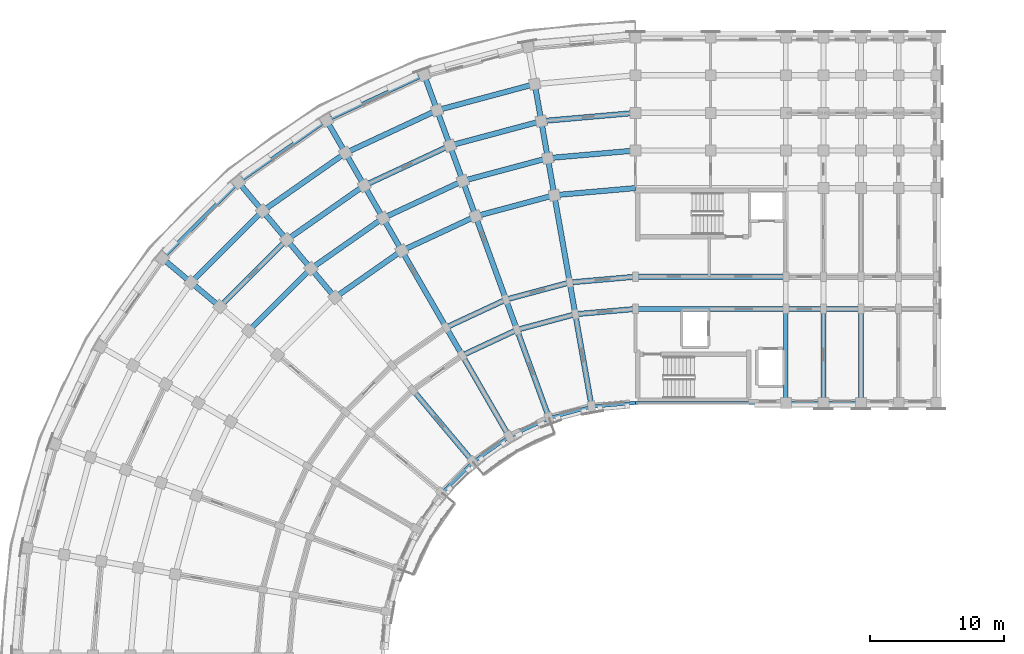
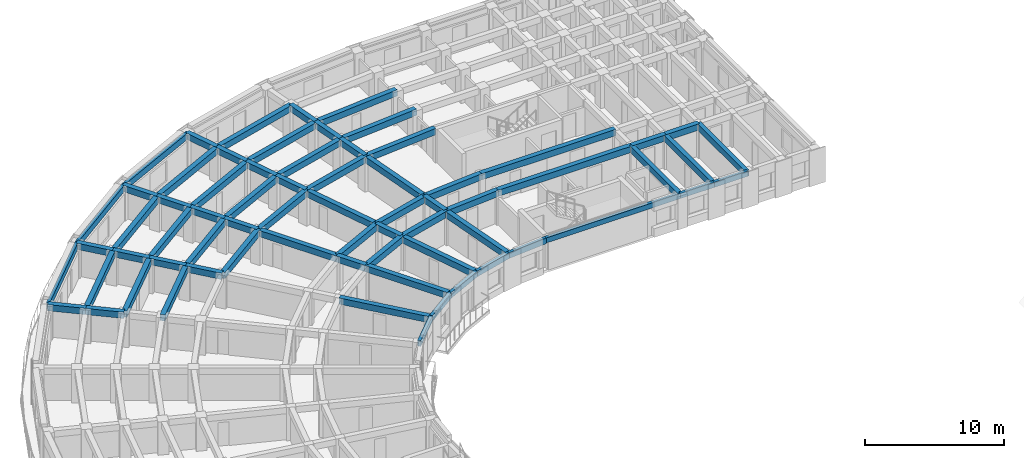
# One storey, part 8 of 54: 69 beams.
"""IFC4 building model written with IfcOpenShell, lengths in metres."""

import ifcopenshell
import ifcopenshell.guid

model = None  # the IFC model being written
_history = None  # IfcOwnerHistory: only IFC2X3 demands one
_inside = {}  # id of a spatial element -> (the spatial element, [elements in it])
_under = {}  # id of a project, library or spatial element -> (it, [spatial elements below it])
_declared = {}  # id of a project -> (the project, [libraries it declares])
_typed = {}  # id of a type object -> (the type object, [elements of that type])
_made_of = {}  # id of a material, layer set ... -> (it, [elements and type objects made of it])


def new_model(schema):
    """Start an empty IFC model of exactly this schema.

    Asked for "IFC4X3", IfcOpenShell would pick the latest addendum, in which some entities
    have other attributes; the version numbers below select the first issue.
    IFC2X3 requires an IfcOwnerHistory on every rooted entity: one is made here for all.
    """
    global model, _history
    if schema == "IFC4X3":
        model = ifcopenshell.file(schema_version=(4, 3, 0, 0))
    else:
        model = ifcopenshell.file(schema=schema)
    _inside.clear()
    _under.clear()
    _declared.clear()
    _typed.clear()
    _made_of.clear()
    _history = None
    if model.schema == "IFC2X3":
        org = make("IfcOrganization", Name="unknown")
        user = make(
            "IfcPersonAndOrganization",
            ThePerson=make("IfcPerson", FamilyName="unknown"),
            TheOrganization=org,
        )
        app = make(
            "IfcApplication",
            ApplicationDeveloper=org,
            Version="unknown",
            ApplicationFullName="unknown",
            ApplicationIdentifier="unknown",
        )
        _history = make(
            "IfcOwnerHistory",
            OwningUser=user,
            OwningApplication=app,
            ChangeAction="ADDED",
            CreationDate=0,
        )
    return model


def make(cls, **values):
    """One entity of the class cls with the attributes given. An attribute that is None is left unset."""
    return model.create_entity(
        cls, **{name: value for name, value in values.items() if value is not None}
    )


def rooted(cls, **values):
    """An entity with a GlobalId (a new one), such as an element, a storey or a relation."""
    return make(cls, GlobalId=ifcopenshell.guid.new(), OwnerHistory=_history, **values)


def si_unit(unit_type, name, prefix=None):
    """IfcSIUnit, for example si_unit("LENGTHUNIT", "METRE", prefix="MILLI")."""
    return make("IfcSIUnit", UnitType=unit_type, Prefix=prefix, Name=name)


def assignment(units):
    """IfcUnitAssignment: the units of a project."""
    return None if units is None else make("IfcUnitAssignment", Units=units)


def point(xyz):
    """IfcCartesianPoint."""
    return None if xyz is None else make("IfcCartesianPoint", Coordinates=xyz)


def direction(xyz):
    """IfcDirection."""
    return None if xyz is None else make("IfcDirection", DirectionRatios=xyz)


def frame(location, z_axis=None, x_axis=None):
    """IfcAxis2Placement3D, a coordinate frame: its origin and axes. An axis left out is left unset."""
    return make(
        "IfcAxis2Placement3D",
        Location=point(location),
        Axis=direction(z_axis),
        RefDirection=direction(x_axis),
    )


def frame_2d(location, x_axis=None):
    """IfcAxis2Placement2D, a coordinate frame in the plane: its origin and x axis."""
    return make(
        "IfcAxis2Placement2D", Location=point(location), RefDirection=direction(x_axis)
    )


def origin():
    """The frame at (0, 0, 0) with its axes left unset."""
    return frame((0.0, 0.0, 0.0))


def origin_2d():
    """The frame at (0, 0) in the plane with its x axis left unset."""
    return frame_2d((0.0, 0.0))


def place(relative_to, where):
    """IfcLocalPlacement: puts the frame where relative to a parent placement (None: the world)."""
    return make(
        "IfcLocalPlacement", PlacementRelTo=relative_to, RelativePlacement=where
    )


def context(
    kind, dimensions, precision=None, world=None, true_north=None, identifier=None
):
    """IfcGeometricRepresentationContext, for example the 3D "Model" context."""
    return make(
        "IfcGeometricRepresentationContext",
        ContextIdentifier=identifier,
        ContextType=kind,
        CoordinateSpaceDimension=dimensions,
        Precision=precision,
        WorldCoordinateSystem=world,
        TrueNorth=true_north,
    )


def subcontext(parent, identifier, kind, view, scale=None):
    """IfcGeometricRepresentationSubContext, for example "Body" below "Model"."""
    return make(
        "IfcGeometricRepresentationSubContext",
        ContextIdentifier=identifier,
        ContextType=kind,
        ParentContext=parent,
        TargetScale=scale,
        TargetView=view,
    )


def project(units=None, contexts=None):
    """IfcProject with its units and contexts."""
    return rooted(
        "IfcProject",
        Name="project",
        RepresentationContexts=contexts,
        UnitsInContext=assignment(units),
    )


def spatial(cls, under=None, at=None, **own):
    """A site, building, storey or space (cls), placed at a placement, below another one or the project."""
    s = rooted(cls, ObjectPlacement=at, **own)
    if under is not None:
        _under.setdefault(under.id(), (under, []))[1].append(s)
    return s


def profile(cls, at=None, kind="AREA", **sizes):
    """A parametric profile (cls). Its sizes go by their IFC names, for example OverallWidth=200.0."""
    return make(cls, ProfileType=kind, Position=at, **sizes)


def rectangle(**sizes):
    """IfcRectangleProfileDef."""
    return profile("IfcRectangleProfileDef", **sizes)


def extrude(swept, where, along, depth):
    """IfcExtrudedAreaSolid: the profile swept, set in the frame where, extruded along a direction by depth."""
    return make(
        "IfcExtrudedAreaSolid",
        SweptArea=swept,
        Position=where,
        ExtrudedDirection=direction(along),
        Depth=depth,
    )


def shape(context_of_items, identifier, shape_type, items):
    """IfcShapeRepresentation: the items that make up one representation, for example the "Body"."""
    return make(
        "IfcShapeRepresentation",
        ContextOfItems=context_of_items,
        RepresentationIdentifier=identifier,
        RepresentationType=shape_type,
        Items=items,
    )


def material(Name=None, Category=None):
    """IfcMaterial."""
    return make("IfcMaterial", Name=Name, Category=Category)


def material_profile(
    of_material, cross_section, Name=None, Category=None, Priority=None
):
    """IfcMaterialProfile: a cross section and its material."""
    return make(
        "IfcMaterialProfile",
        Name=Name,
        Material=of_material,
        Profile=cross_section,
        Priority=Priority,
        Category=Category,
    )


def profile_set(profiles, Name=None, composite=None):
    """IfcMaterialProfileSet."""
    return make(
        "IfcMaterialProfileSet",
        Name=Name,
        MaterialProfiles=profiles,
        CompositeProfile=composite,
    )


def made_of(thing, what):
    """Note that an element or type object is made of a material, layer set ...; save() writes the relation."""
    if what is not None:
        _made_of.setdefault(what.id(), (what, []))[1].append(thing)
    return thing


def type_object(cls, material=None, **own):
    """A type object (cls), such as IfcWallType, which elements share."""
    return made_of(rooted(cls, **own), material)


def element(
    cls,
    number,
    at=None,
    inside=None,
    cuts=None,
    type_object=None,
    material=None,
    context=None,
    identifier="Body",
    shape_type=None,
    held_by="IfcProductDefinitionShape",
    body=None,
    shapes=None,
    **own,
):
    """One element of the class cls, such as IfcWall. Its Tag is "e" and its number.

    at: its placement. inside: the storey or other place that contains it. cuts: it is an
    opening in that element (IfcRelVoidsElement). A single representation is given by context,
    identifier, shape_type and body (its items); several are given by shapes. held_by: the class
    of the entity that holds the representations. save() writes the other relations.
    """
    e = rooted(cls, Tag="e%d" % number, ObjectPlacement=at, **own)
    if body is not None:
        shapes = [shape(context, identifier, shape_type, body)]
    if shapes is not None:
        e.Representation = make(held_by, Representations=shapes)
    if inside is not None:
        _inside.setdefault(inside.id(), (inside, []))[1].append(e)
    if cuts is not None:
        rooted(
            "IfcRelVoidsElement", RelatingBuildingElement=cuts, RelatedOpeningElement=e
        )
    if type_object is not None:
        _typed.setdefault(type_object.id(), (type_object, []))[1].append(e)
    return made_of(e, material)


def aggregate(whole, parts):
    """IfcRelAggregates: a whole, such as a stair, and the parts it consists of."""
    return rooted("IfcRelAggregates", RelatingObject=whole, RelatedObjects=parts)


def save(model, path):
    """Write the relations noted so far, then the file.

    IfcRelAggregates (storeys below a building ...), IfcRelContainedInSpatialStructure (elements
    in a storey), IfcRelDefinesByType, IfcRelAssociatesMaterial and IfcRelDeclares: one each for
    every whole, place, type object, material and project.
    """
    for whole, parts in _under.values():
        aggregate(whole, parts)
    for where, things in _inside.values():
        rooted(
            "IfcRelContainedInSpatialStructure",
            RelatedElements=things,
            RelatingStructure=where,
        )
    for kind, things in _typed.values():
        rooted("IfcRelDefinesByType", RelatedObjects=things, RelatingType=kind)
    for what, things in _made_of.values():
        rooted("IfcRelAssociatesMaterial", RelatedObjects=things, RelatingMaterial=what)
    for by, libraries in _declared.values():
        rooted("IfcRelDeclares", RelatingContext=by, RelatedDefinitions=libraries)
    model.write(path)


model = new_model("IFC4")

# Units and contexts
model_context = context("Model", 3, precision=1e-05, world=origin(), true_north=direction((0.0, 1.0)))
body_context = subcontext(model_context, "Body", "Model", "MODEL_VIEW")
ifc_project = project(units=[si_unit("LENGTHUNIT", "METRE"), si_unit("AREAUNIT", "SQUARE_METRE"), si_unit("VOLUMEUNIT", "CUBIC_METRE"), si_unit("PLANEANGLEUNIT", "RADIAN"), si_unit("MASSUNIT", "GRAM", prefix="KILO")], contexts=[model_context])

# Site, building, storey
site_placement = place(None, origin())
site = spatial("IfcSite", under=ifc_project, at=site_placement, CompositionType="ELEMENT")
building_placement = place(site_placement, origin())
building = spatial("IfcBuilding", under=site, at=building_placement, Name="Kiranvali Square Residences", CompositionType="ELEMENT")
storey_placement = place(building_placement, frame((0.0, 0.0, 11.85009765625)))
storey = spatial("IfcBuildingStorey", under=building, at=storey_placement, Name="L03", CompositionType="ELEMENT", Elevation=11.85009765625)

# Beams
ifc_material_1 = material(Name="Concrete M40 (40 MPa)", Category="concrete")
ifc_material_profile_1 = material_profile(ifc_material_1, rectangle(XDim=0.35009765625, YDim=0.550048828125, at=origin_2d()), Name="RC 350x550")
ifc_profile_set_1 = profile_set([ifc_material_profile_1], Name="Concrete M40 (40 MPa)")
beam_type_1 = type_object("IfcBeamType", Name="BM-M40-350x550", PredefinedType="BEAM", material=ifc_profile_set_1)
for number, where, z_axis, x_axis, name in (
    (1, (59.39990234375, 106.60009765625, 2.65478515625), (0.0, 1.0, 0.0), (-1.0, 0.0, 0.0), "L03 beam BM-A-L03-A1T1-01"),
    (2, (62.199951171875, 106.60009765625, 2.65478515625), (0.0, 1.0, 0.0), (-1.0, 0.0, 0.0), "L03 beam BM-A-L03-A1T2-01"),
    (3, (65.0, 106.60009765625, 2.65478515625), (0.0, 1.0, 0.0), (-1.0, 0.0, 0.0), "L03 beam BM-A-L03-A1T3-01"),
):
    element("IfcBeam", number, at=place(storey_placement, frame(where, z_axis=z_axis, x_axis=x_axis)), inside=storey, type_object=beam_type_1, Name=name, PredefinedType="BEAM", context=body_context, shape_type="SweptSolid", body=[
        extrude(rectangle(XDim=0.35009765625, YDim=0.550048828125, at=origin_2d()), origin(), (0.0, 0.0, 1.0), 7.0),
    ])
ifc_material_2 = material(Name="Concrete M45 (45 MPa)", Category="concrete")
ifc_material_profile_2 = material_profile(ifc_material_2, rectangle(XDim=0.39990234375, YDim=0.550048828125, at=origin_2d()), Name="RC 400x550")
ifc_profile_set_2 = profile_set([ifc_material_profile_2], Name="Concrete M45 (45 MPa)")
beam_type_2 = type_object("IfcBeamType", Name="BM-M45-400x550", PredefinedType="BEAM", material=ifc_profile_set_2)
beam_1_placement = place(storey_placement, frame((48.199951171875, 113.60009765625, 2.65478515625), z_axis=(-0.996191949488, -0.087187153726, 0.0), x_axis=(0.087187153726, -0.996191949488, 0.0)))
element("IfcBeam", 4, at=beam_1_placement, inside=storey, type_object=beam_type_2, Name="L03 beam BM-A-L03-C00-R1", PredefinedType="BEAM", context=body_context, shape_type="SweptSolid", body=[
    extrude(rectangle(XDim=0.39990234375, YDim=0.550048828125, at=origin_2d()), origin(), (0.0, 0.0, 1.0), 4.4970703125),
])
beam_2_placement = place(storey_placement, frame((48.199951171875, 116.0, 2.65478515625), z_axis=(-0.996193663584, -0.087167566415, 0.0), x_axis=(0.087167566415, -0.996193663584, 0.0)))
element("IfcBeam", 5, at=beam_2_placement, inside=storey, type_object=beam_type_2, Name="L03 beam BM-A-L03-C00-R2", PredefinedType="BEAM", context=body_context, shape_type="SweptSolid", body=[
    extrude(rectangle(XDim=0.39990234375, YDim=0.550048828125, at=origin_2d()), origin(), (0.0, 0.0, 1.0), 4.91552734375),
])
beam_3_placement = place(storey_placement, frame((48.199951171875, 122.60009765625, 2.65478515625), z_axis=(-0.996193018494, -0.087174938512, 0.0), x_axis=(0.087174938512, -0.996193018494, 0.0)))
element("IfcBeam", 6, at=beam_3_placement, inside=storey, type_object=beam_type_2, Name="L03 beam BM-A-L03-C00-R3", PredefinedType="BEAM", context=body_context, shape_type="SweptSolid", body=[
    extrude(rectangle(XDim=0.39990234375, YDim=0.550048828125, at=origin_2d()), origin(), (0.0, 0.0, 1.0), 6.066162109375),
])
beam_4_placement = place(storey_placement, frame((48.199951171875, 125.39990234375, 2.65478515625), z_axis=(-0.996196991902, -0.0871295204, 0.0), x_axis=(0.0871295204, -0.996196991902, 0.0)))
element("IfcBeam", 7, at=beam_4_placement, inside=storey, type_object=beam_type_2, Name="L03 beam BM-A-L03-C00-R4", PredefinedType="BEAM", context=body_context, shape_type="SweptSolid", body=[
    extrude(rectangle(XDim=0.39990234375, YDim=0.550048828125, at=origin_2d()), origin(), (0.0, 0.0, 1.0), 6.553955078125),
])
beam_5_placement = place(storey_placement, frame((48.199951171875, 128.199951171875, 2.65478515625), z_axis=(-0.996194658198, -0.087156198737, 0.0), x_axis=(0.087156198737, -0.996194658198, 0.0)))
element("IfcBeam", 8, at=beam_5_placement, inside=storey, type_object=beam_type_2, Name="L03 beam BM-A-L03-C00-R5", PredefinedType="BEAM", context=body_context, shape_type="SweptSolid", body=[
    extrude(rectangle(XDim=0.39990234375, YDim=0.550048828125, at=origin_2d()), origin(), (0.0, 0.0, 1.0), 7.042236328125),
])
beam_6_placement = place(storey_placement, frame((43.719970703125, 113.2080078125, 2.65478515625), z_axis=(-0.965934240054, -0.258787642463, 0.0), x_axis=(0.258787642463, -0.965934240054, 0.0)))
element("IfcBeam", 9, at=beam_6_placement, inside=storey, type_object=beam_type_2, Name="L03 beam BM-A-L03-C01-R1", PredefinedType="BEAM", context=body_context, shape_type="SweptSolid", body=[
    extrude(rectangle(XDim=0.39990234375, YDim=0.550048828125, at=origin_2d()), origin(), (0.0, 0.0, 1.0), 4.497314453125),
])
beam_7_placement = place(storey_placement, frame((43.30322265625, 115.571533203125, 2.65478515625), z_axis=(-0.965930095386, -0.258803112091, 0.0), x_axis=(0.258803112091, -0.965930095386, 0.0)))
element("IfcBeam", 10, at=beam_7_placement, inside=storey, type_object=beam_type_2, Name="L03 beam BM-A-L03-C01-R2", PredefinedType="BEAM", context=body_context, shape_type="SweptSolid", body=[
    extrude(rectangle(XDim=0.39990234375, YDim=0.550048828125, at=origin_2d()), origin(), (0.0, 0.0, 1.0), 4.915771484375),
])
beam_8_placement = place(storey_placement, frame((42.156982421875, 122.0712890625, 2.65478515625), z_axis=(-0.965923618901, -0.258827283048, 0.0), x_axis=(0.258827283048, -0.965923618901, 0.0)))
element("IfcBeam", 11, at=beam_8_placement, inside=storey, type_object=beam_type_2, Name="L03 beam BM-A-L03-C01-R3", PredefinedType="BEAM", context=body_context, shape_type="SweptSolid", body=[
    extrude(rectangle(XDim=0.39990234375, YDim=0.550048828125, at=origin_2d()), origin(), (0.0, 0.0, 1.0), 6.066162109375),
])
beam_9_placement = place(storey_placement, frame((41.6708984375, 124.828857421875, 2.65478515625), z_axis=(-0.965918287583, -0.258847178297, 0.0), x_axis=(0.258847178297, -0.965918287583, 0.0)))
element("IfcBeam", 12, at=beam_9_placement, inside=storey, type_object=beam_type_2, Name="L03 beam BM-A-L03-C01-R4", PredefinedType="BEAM", context=body_context, shape_type="SweptSolid", body=[
    extrude(rectangle(XDim=0.39990234375, YDim=0.550048828125, at=origin_2d()), origin(), (0.0, 0.0, 1.0), 6.55419921875),
])
beam_10_placement = place(storey_placement, frame((41.1845703125, 127.586181640625, 2.65478515625), z_axis=(-0.965931029817, -0.258799624492, 0.0), x_axis=(0.258799624492, -0.965931029817, 0.0)))
element("IfcBeam", 13, at=beam_10_placement, inside=storey, type_object=beam_type_2, Name="L03 beam BM-A-L03-C01-R5", PredefinedType="BEAM", context=body_context, shape_type="SweptSolid", body=[
    extrude(rectangle(XDim=0.39990234375, YDim=0.550048828125, at=origin_2d()), origin(), (0.0, 0.0, 1.0), 7.042236328125),
])
beam_11_placement = place(storey_placement, frame((40.698486328125, 130.34375, 2.65478515625), z_axis=(-0.965925909693, -0.258818733833, 0.0), x_axis=(0.258818733833, -0.965925909693, 0.0)))
element("IfcBeam", 14, at=beam_11_placement, inside=storey, type_object=beam_type_2, Name="L03 beam BM-A-L03-C01-R6", PredefinedType="BEAM", context=body_context, shape_type="SweptSolid", body=[
    extrude(rectangle(XDim=0.39990234375, YDim=0.550048828125, at=origin_2d()), origin(), (0.0, 0.0, 1.0), 7.5302734375),
])
beam_12_placement = place(storey_placement, frame((39.3759765625, 112.044189453125, 2.65478515625), z_axis=(-0.906307919131, -0.422617978463, 0.0), x_axis=(0.422617978463, -0.906307919131, 0.0)))
element("IfcBeam", 15, at=beam_12_placement, inside=storey, type_object=beam_type_2, Name="L03 beam BM-A-L03-C02-R1", PredefinedType="BEAM", context=body_context, shape_type="SweptSolid", body=[
    extrude(rectangle(XDim=0.39990234375, YDim=0.550048828125, at=origin_2d()), origin(), (0.0, 0.0, 1.0), 4.497314453125),
])
beam_13_placement = place(storey_placement, frame((38.554931640625, 114.29931640625, 2.65478515625), z_axis=(-0.906302381024, -0.422629854778, 0.0), x_axis=(0.422629854778, -0.906302381024, 0.0)))
element("IfcBeam", 16, at=beam_13_placement, inside=storey, type_object=beam_type_2, Name="L03 beam BM-A-L03-C02-R2", PredefinedType="BEAM", context=body_context, shape_type="SweptSolid", body=[
    extrude(rectangle(XDim=0.39990234375, YDim=0.550048828125, at=origin_2d()), origin(), (0.0, 0.0, 1.0), 4.915283203125),
])
beam_14_placement = place(storey_placement, frame((36.297607421875, 120.501220703125, 2.65478515625), z_axis=(-0.906312656069, -0.42260781991, 0.0), x_axis=(0.42260781991, -0.906312656069, 0.0)))
element("IfcBeam", 17, at=beam_14_placement, inside=storey, type_object=beam_type_2, Name="L03 beam BM-A-L03-C02-R3", PredefinedType="BEAM", context=body_context, shape_type="SweptSolid", body=[
    extrude(rectangle(XDim=0.39990234375, YDim=0.550048828125, at=origin_2d()), origin(), (0.0, 0.0, 1.0), 6.06591796875),
])
beam_15_placement = place(storey_placement, frame((35.340087890625, 123.13232421875, 2.65478515625), z_axis=(-0.906318225223, -0.422595876255, 0.0), x_axis=(0.422595876255, -0.906318225223, 0.0)))
element("IfcBeam", 18, at=beam_15_placement, inside=storey, type_object=beam_type_2, Name="L03 beam BM-A-L03-C02-R4", PredefinedType="BEAM", context=body_context, shape_type="SweptSolid", body=[
    extrude(rectangle(XDim=0.39990234375, YDim=0.550048828125, at=origin_2d()), origin(), (0.0, 0.0, 1.0), 6.55419921875),
])
beam_16_placement = place(storey_placement, frame((34.38232421875, 125.763671875, 2.65478515625), z_axis=(-0.906297360311, -0.422640621205, 0.0), x_axis=(0.422640621205, -0.906297360311, 0.0)))
element("IfcBeam", 19, at=beam_16_placement, inside=storey, type_object=beam_type_2, Name="L03 beam BM-A-L03-C02-R5", PredefinedType="BEAM", context=body_context, shape_type="SweptSolid", body=[
    extrude(rectangle(XDim=0.39990234375, YDim=0.550048828125, at=origin_2d()), origin(), (0.0, 0.0, 1.0), 7.042236328125),
])
beam_17_placement = place(storey_placement, frame((33.4248046875, 128.394775390625, 2.65478515625), z_axis=(-0.90630982703, -0.422613886933, 0.0), x_axis=(0.422613886933, -0.90630982703, 0.0)))
element("IfcBeam", 20, at=beam_17_placement, inside=storey, type_object=beam_type_2, Name="L03 beam BM-A-L03-C02-R6", PredefinedType="BEAM", context=body_context, shape_type="SweptSolid", body=[
    extrude(rectangle(XDim=0.39990234375, YDim=0.550048828125, at=origin_2d()), origin(), (0.0, 0.0, 1.0), 7.5302734375),
])
beam_18_placement = place(storey_placement, frame((30.800048828125, 117.937744140625, 2.65478515625), z_axis=(-0.81913926159, -0.573594691504, 0.0), x_axis=(0.573594691504, -0.81913926159, 0.0)))
element("IfcBeam", 21, at=beam_18_placement, inside=storey, type_object=beam_type_2, Name="L03 beam BM-A-L03-C03-R3", PredefinedType="BEAM", context=body_context, shape_type="SweptSolid", body=[
    extrude(rectangle(XDim=0.39990234375, YDim=0.550048828125, at=origin_2d()), origin(), (0.0, 0.0, 1.0), 6.066162109375),
])
beam_19_placement = place(storey_placement, frame((29.39990234375, 120.362548828125, 2.65478515625), z_axis=(-0.819144409176, -0.573587340268, 0.0), x_axis=(0.573587340268, -0.819144409176, 0.0)))
element("IfcBeam", 22, at=beam_19_placement, inside=storey, type_object=beam_type_2, Name="L03 beam BM-A-L03-C03-R4", PredefinedType="BEAM", context=body_context, shape_type="SweptSolid", body=[
    extrude(rectangle(XDim=0.39990234375, YDim=0.550048828125, at=origin_2d()), origin(), (0.0, 0.0, 1.0), 6.553955078125),
])
beam_20_placement = place(storey_placement, frame((28.0, 122.787353515625, 2.65478515625), z_axis=(-0.819160249246, -0.57356471828, 0.0), x_axis=(0.57356471828, -0.819160249246, 0.0)))
element("IfcBeam", 23, at=beam_20_placement, inside=storey, type_object=beam_type_2, Name="L03 beam BM-A-L03-C03-R5", PredefinedType="BEAM", context=body_context, shape_type="SweptSolid", body=[
    extrude(rectangle(XDim=0.39990234375, YDim=0.550048828125, at=origin_2d()), origin(), (0.0, 0.0, 1.0), 7.0419921875),
])
beam_21_placement = place(storey_placement, frame((26.60009765625, 125.21240234375, 2.65478515625), z_axis=(-0.819143569597, -0.573588539275, 0.0), x_axis=(0.573588539275, -0.819143569597, 0.0)))
element("IfcBeam", 24, at=beam_21_placement, inside=storey, type_object=beam_type_2, Name="L03 beam BM-A-L03-C03-R6", PredefinedType="BEAM", context=body_context, shape_type="SweptSolid", body=[
    extrude(rectangle(XDim=0.39990234375, YDim=0.550048828125, at=origin_2d()), origin(), (0.0, 0.0, 1.0), 7.5302734375),
])
beam_22_placement = place(storey_placement, frame((24.03125, 116.603271484375, 2.65478515625), z_axis=(-0.707106781187, -0.707106781187, 0.0), x_axis=(0.707106781187, -0.707106781187, 0.0)))
element("IfcBeam", 25, at=beam_22_placement, inside=storey, type_object=beam_type_2, Name="L03 beam BM-A-L03-C04-R4", PredefinedType="BEAM", context=body_context, shape_type="SweptSolid", body=[
    extrude(rectangle(XDim=0.39990234375, YDim=0.550048828125, at=origin_2d()), origin(), (0.0, 0.0, 1.0), 6.55419921875),
])
beam_23_placement = place(storey_placement, frame((22.2314453125, 118.748291015625, 2.65478515625), z_axis=(-0.707106781187, -0.707106781187, 0.0), x_axis=(0.707106781187, -0.707106781187, 0.0)))
element("IfcBeam", 26, at=beam_23_placement, inside=storey, type_object=beam_type_2, Name="L03 beam BM-A-L03-C04-R5", PredefinedType="BEAM", context=body_context, shape_type="SweptSolid", body=[
    extrude(rectangle(XDim=0.39990234375, YDim=0.550048828125, at=origin_2d()), origin(), (0.0, 0.0, 1.0), 7.04248046875),
])
beam_24_placement = place(storey_placement, frame((20.431640625, 120.89306640625, 2.65478515625), z_axis=(-0.707106781187, -0.707106781187, 0.0), x_axis=(0.707106781187, -0.707106781187, 0.0)))
element("IfcBeam", 27, at=beam_24_placement, inside=storey, type_object=beam_type_2, Name="L03 beam BM-A-L03-C04-R6", PredefinedType="BEAM", context=body_context, shape_type="SweptSolid", body=[
    extrude(rectangle(XDim=0.39990234375, YDim=0.550048828125, at=origin_2d()), origin(), (0.0, 0.0, 1.0), 7.5302734375),
])
beam_25_placement = place(storey_placement, frame((44.935302734375, 106.314453125, 2.65478515625), z_axis=(-0.173622177865, 0.984812337125, 0.0), x_axis=(-0.984812337125, -0.173622177865, 0.0)))
element("IfcBeam", 28, at=beam_25_placement, inside=storey, type_object=beam_type_2, Name="L03 beam BM-A-L03-RAD01-01", PredefinedType="BEAM", context=body_context, shape_type="SweptSolid", body=[
    extrude(rectangle(XDim=0.39990234375, YDim=0.550048828125, at=origin_2d()), origin(), (0.0, 0.0, 1.0), 6.999755859375),
])
beam_26_placement = place(storey_placement, frame((43.719970703125, 113.2080078125, 2.65478515625), z_axis=(-0.173646056486, 0.984808127031, 0.0), x_axis=(-0.984808127031, -0.173646056486, 0.0)))
element("IfcBeam", 29, at=beam_26_placement, inside=storey, type_object=beam_type_2, Name="L03 beam BM-A-L03-RAD01-12", PredefinedType="BEAM", context=body_context, shape_type="SweptSolid", body=[
    extrude(rectangle(XDim=0.39990234375, YDim=0.550048828125, at=origin_2d()), origin(), (0.0, 0.0, 1.0), 2.39990234375),
])
beam_27_placement = place(storey_placement, frame((43.30322265625, 115.571533203125, 2.65478515625), z_axis=(-0.173671381499, 0.984803661269, 0.0), x_axis=(-0.984803661269, -0.173671381499, 0.0)))
element("IfcBeam", 30, at=beam_27_placement, inside=storey, type_object=beam_type_2, Name="L03 beam BM-A-L03-RAD01-23", PredefinedType="BEAM", context=body_context, shape_type="SweptSolid", body=[
    extrude(rectangle(XDim=0.39990234375, YDim=0.550048828125, at=origin_2d()), origin(), (0.0, 0.0, 1.0), 6.60009765625),
])
beam_28_placement = place(storey_placement, frame((42.156982421875, 122.0712890625, 2.65478515625), z_axis=(-0.173596320392, 0.984816895441, 0.0), x_axis=(-0.984816895441, -0.173596320392, 0.0)))
element("IfcBeam", 31, at=beam_28_placement, inside=storey, type_object=beam_type_2, Name="L03 beam BM-A-L03-RAD01-34", PredefinedType="BEAM", context=body_context, shape_type="SweptSolid", body=[
    extrude(rectangle(XDim=0.39990234375, YDim=0.550048828125, at=origin_2d()), origin(), (0.0, 0.0, 1.0), 2.800048828125),
])
beam_29_placement = place(storey_placement, frame((41.6708984375, 124.828857421875, 2.65478515625), z_axis=(-0.173695795656, 0.984799355489, 0.0), x_axis=(-0.984799355489, -0.173695795656, 0.0)))
element("IfcBeam", 32, at=beam_29_placement, inside=storey, type_object=beam_type_2, Name="L03 beam BM-A-L03-RAD01-45", PredefinedType="BEAM", context=body_context, shape_type="SweptSolid", body=[
    extrude(rectangle(XDim=0.39990234375, YDim=0.550048828125, at=origin_2d()), origin(), (0.0, 0.0, 1.0), 2.7998046875),
])
beam_30_placement = place(storey_placement, frame((41.1845703125, 127.586181640625, 2.65478515625), z_axis=(-0.173596320392, 0.984816895441, 0.0), x_axis=(-0.984816895441, -0.173596320392, 0.0)))
element("IfcBeam", 33, at=beam_30_placement, inside=storey, type_object=beam_type_2, Name="L03 beam BM-A-L03-RAD01-56", PredefinedType="BEAM", context=body_context, shape_type="SweptSolid", body=[
    extrude(rectangle(XDim=0.39990234375, YDim=0.550048828125, at=origin_2d()), origin(), (0.0, 0.0, 1.0), 2.800048828125),
])
beam_31_placement = place(storey_placement, frame((41.77001953125, 105.46630859375, 2.65478515625), z_axis=(-0.342006283793, 0.939697665127, 0.0), x_axis=(-0.939697665127, -0.342006283793, 0.0)))
element("IfcBeam", 34, at=beam_31_placement, inside=storey, type_object=beam_type_2, Name="L03 beam BM-A-L03-RAD02-01", PredefinedType="BEAM", context=body_context, shape_type="SweptSolid", body=[
    extrude(rectangle(XDim=0.39990234375, YDim=0.550048828125, at=origin_2d()), origin(), (0.0, 0.0, 1.0), 7.0),
])
beam_32_placement = place(storey_placement, frame((39.3759765625, 112.044189453125, 2.65478515625), z_axis=(-0.342110593602, 0.939659694648, 0.0), x_axis=(-0.939659694648, -0.342110593602, 0.0)))
element("IfcBeam", 35, at=beam_32_placement, inside=storey, type_object=beam_type_2, Name="L03 beam BM-A-L03-RAD02-12", PredefinedType="BEAM", context=body_context, shape_type="SweptSolid", body=[
    extrude(rectangle(XDim=0.39990234375, YDim=0.550048828125, at=origin_2d()), origin(), (0.0, 0.0, 1.0), 2.39990234375),
])
beam_33_placement = place(storey_placement, frame((38.554931640625, 114.29931640625, 2.65478515625), z_axis=(-0.342022238372, 0.939691858249, 0.0), x_axis=(-0.939691858249, -0.342022238372, 0.0)))
element("IfcBeam", 36, at=beam_33_placement, inside=storey, type_object=beam_type_2, Name="L03 beam BM-A-L03-RAD02-23", PredefinedType="BEAM", context=body_context, shape_type="SweptSolid", body=[
    extrude(rectangle(XDim=0.39990234375, YDim=0.550048828125, at=origin_2d()), origin(), (0.0, 0.0, 1.0), 6.599853515625),
])
beam_34_placement = place(storey_placement, frame((36.297607421875, 120.501220703125, 2.65478515625), z_axis=(-0.341981089711, 0.93970683422, 0.0), x_axis=(-0.93970683422, -0.341981089711, 0.0)))
element("IfcBeam", 37, at=beam_34_placement, inside=storey, type_object=beam_type_2, Name="L03 beam BM-A-L03-RAD02-34", PredefinedType="BEAM", context=body_context, shape_type="SweptSolid", body=[
    extrude(rectangle(XDim=0.39990234375, YDim=0.550048828125, at=origin_2d()), origin(), (0.0, 0.0, 1.0), 2.7998046875),
])
beam_35_placement = place(storey_placement, frame((35.340087890625, 123.13232421875, 2.65478515625), z_axis=(-0.342030060398, 0.939689011208, 0.0), x_axis=(-0.939689011208, -0.342030060398, 0.0)))
element("IfcBeam", 38, at=beam_35_placement, inside=storey, type_object=beam_type_2, Name="L03 beam BM-A-L03-RAD02-45", PredefinedType="BEAM", context=body_context, shape_type="SweptSolid", body=[
    extrude(rectangle(XDim=0.39990234375, YDim=0.550048828125, at=origin_2d()), origin(), (0.0, 0.0, 1.0), 2.80029296875),
])
beam_36_placement = place(storey_placement, frame((34.38232421875, 125.763671875, 2.65478515625), z_axis=(-0.341981089711, 0.93970683422, 0.0), x_axis=(-0.93970683422, -0.341981089711, 0.0)))
element("IfcBeam", 39, at=beam_36_placement, inside=storey, type_object=beam_type_2, Name="L03 beam BM-A-L03-RAD02-56", PredefinedType="BEAM", context=body_context, shape_type="SweptSolid", body=[
    extrude(rectangle(XDim=0.39990234375, YDim=0.550048828125, at=origin_2d()), origin(), (0.0, 0.0, 1.0), 2.7998046875),
])
beam_37_placement = place(storey_placement, frame((33.4248046875, 128.394775390625, 2.65478515625), z_axis=(-0.342058084236, 0.939678810556, 0.0), x_axis=(-0.939678810556, -0.342058084236, 0.0)))
element("IfcBeam", 40, at=beam_37_placement, inside=storey, type_object=beam_type_2, Name="L03 beam BM-A-L03-RAD02-67", PredefinedType="BEAM", context=body_context, shape_type="SweptSolid", body=[
    extrude(rectangle(XDim=0.39990234375, YDim=0.550048828125, at=origin_2d()), origin(), (0.0, 0.0, 1.0), 2.800048828125),
])
beam_38_placement = place(storey_placement, frame((38.800048828125, 104.081298828125, 2.65478515625), z_axis=(-0.499995173006, 0.866028190633, 0.0), x_axis=(-0.866028190633, -0.499995173006, 0.0)))
element("IfcBeam", 41, at=beam_38_placement, inside=storey, type_object=beam_type_2, Name="L03 beam BM-A-L03-RAD03-01", PredefinedType="BEAM", context=body_context, shape_type="SweptSolid", body=[
    extrude(rectangle(XDim=0.39990234375, YDim=0.550048828125, at=origin_2d()), origin(), (0.0, 0.0, 1.0), 7.0),
])
beam_39_placement = place(storey_placement, frame((35.300048828125, 110.1435546875, 2.65478515625), z_axis=(-0.500001309137, 0.866024647952, 0.0), x_axis=(-0.866024647952, -0.500001309137, 0.0)))
element("IfcBeam", 42, at=beam_39_placement, inside=storey, type_object=beam_type_2, Name="L03 beam BM-A-L03-RAD03-12", PredefinedType="BEAM", context=body_context, shape_type="SweptSolid", body=[
    extrude(rectangle(XDim=0.39990234375, YDim=0.550048828125, at=origin_2d()), origin(), (0.0, 0.0, 1.0), 2.39990234375),
])
beam_40_placement = place(storey_placement, frame((34.10009765625, 112.221923828125, 2.65478515625), z_axis=(-0.500002094529, 0.866024194504, 0.0), x_axis=(-0.866024194504, -0.500002094529, 0.0)))
element("IfcBeam", 43, at=beam_40_placement, inside=storey, type_object=beam_type_2, Name="L03 beam BM-A-L03-RAD03-23", PredefinedType="BEAM", context=body_context, shape_type="SweptSolid", body=[
    extrude(rectangle(XDim=0.39990234375, YDim=0.550048828125, at=origin_2d()), origin(), (0.0, 0.0, 1.0), 6.60009765625),
])
beam_41_placement = place(storey_placement, frame((30.800048828125, 117.937744140625, 2.65478515625), z_axis=(-0.500049511043, 0.865996816683, 0.0), x_axis=(-0.865996816683, -0.500049511043, 0.0)))
element("IfcBeam", 44, at=beam_41_placement, inside=storey, type_object=beam_type_2, Name="L03 beam BM-A-L03-RAD03-34", PredefinedType="BEAM", context=body_context, shape_type="SweptSolid", body=[
    extrude(rectangle(XDim=0.39990234375, YDim=0.550048828125, at=origin_2d()), origin(), (0.0, 0.0, 1.0), 2.800048828125),
])
beam_42_placement = place(storey_placement, frame((29.39990234375, 120.362548828125, 2.65478515625), z_axis=(-0.49998411664, 0.866034573852, 0.0), x_axis=(-0.866034573852, -0.49998411664, 0.0)))
element("IfcBeam", 45, at=beam_42_placement, inside=storey, type_object=beam_type_2, Name="L03 beam BM-A-L03-RAD03-45", PredefinedType="BEAM", context=body_context, shape_type="SweptSolid", body=[
    extrude(rectangle(XDim=0.39990234375, YDim=0.550048828125, at=origin_2d()), origin(), (0.0, 0.0, 1.0), 2.7998046875),
])
for number, where, z_axis, x_axis, name in (
    (46, (28.0, 122.787353515625, 2.65478515625), (-0.49994636267, 0.866056369097, 0.0), (-0.866056369097, -0.49994636267, 0.0), "L03 beam BM-A-L03-RAD03-56"),
    (47, (26.60009765625, 125.21240234375, 2.65478515625), (-0.500049511043, 0.865996816683, 0.0), (-0.865996816683, -0.500049511043, 0.0), "L03 beam BM-A-L03-RAD03-67"),
):
    element("IfcBeam", number, at=place(storey_placement, frame(where, z_axis=z_axis, x_axis=x_axis)), inside=storey, type_object=beam_type_2, Name=name, PredefinedType="BEAM", context=body_context, shape_type="SweptSolid", body=[
        extrude(rectangle(XDim=0.39990234375, YDim=0.550048828125, at=origin_2d()), origin(), (0.0, 0.0, 1.0), 2.800048828125),
    ])
beam_43_placement = place(storey_placement, frame((36.115478515625, 102.20166015625, 2.65478515625), z_axis=(-0.642787931032, 0.766044173478, 0.0), x_axis=(-0.766044173478, -0.642787931032, 0.0)))
element("IfcBeam", 48, at=beam_43_placement, inside=storey, type_object=beam_type_2, Name="L03 beam BM-A-L03-RAD04-01", PredefinedType="BEAM", context=body_context, shape_type="SweptSolid", body=[
    extrude(rectangle(XDim=0.39990234375, YDim=0.550048828125, at=origin_2d()), origin(), (0.0, 0.0, 1.0), 7.0),
])
for number, where, z_axis, x_axis, name in (
    (49, (25.8310546875, 114.458251953125, 2.65478515625), (-0.642770757628, 0.766058583359, 0.0), (-0.766058583359, -0.642770757628, 0.0), "L03 beam BM-A-L03-RAD04-34"),
    (50, (24.03125, 116.603271484375, 2.65478515625), (-0.642770757628, 0.766058583359, 0.0), (-0.766058583359, -0.642770757628, 0.0), "L03 beam BM-A-L03-RAD04-45"),
):
    element("IfcBeam", number, at=place(storey_placement, frame(where, z_axis=z_axis, x_axis=x_axis)), inside=storey, type_object=beam_type_2, Name=name, PredefinedType="BEAM", context=body_context, shape_type="SweptSolid", body=[
        extrude(rectangle(XDim=0.39990234375, YDim=0.550048828125, at=origin_2d()), origin(), (0.0, 0.0, 1.0), 2.800048828125),
    ])
beam_44_placement = place(storey_placement, frame((22.2314453125, 118.748291015625, 2.65478515625), z_axis=(-0.642813692253, 0.76602255649, 0.0), x_axis=(-0.76602255649, -0.642813692253, 0.0)))
element("IfcBeam", 51, at=beam_44_placement, inside=storey, type_object=beam_type_2, Name="L03 beam BM-A-L03-RAD04-56", PredefinedType="BEAM", context=body_context, shape_type="SweptSolid", body=[
    extrude(rectangle(XDim=0.39990234375, YDim=0.550048828125, at=origin_2d()), origin(), (0.0, 0.0, 1.0), 2.7998046875),
])
beam_45_placement = place(storey_placement, frame((20.431640625, 120.89306640625, 2.65478515625), z_axis=(-0.642770757628, 0.766058583359, 0.0), x_axis=(-0.766058583359, -0.642770757628, 0.0)))
element("IfcBeam", 52, at=beam_45_placement, inside=storey, type_object=beam_type_2, Name="L03 beam BM-A-L03-RAD04-67", PredefinedType="BEAM", context=body_context, shape_type="SweptSolid", body=[
    extrude(rectangle(XDim=0.39990234375, YDim=0.550048828125, at=origin_2d()), origin(), (0.0, 0.0, 1.0), 2.800048828125),
])
beam_46_placement = place(storey_placement, frame((17.251708984375, 113.7685546875, 2.65478515625), z_axis=(-0.76602255649, 0.642813692253, 0.0), x_axis=(-0.642813692253, -0.76602255649, 0.0)))
element("IfcBeam", 53, at=beam_46_placement, inside=storey, type_object=beam_type_2, Name="L03 beam BM-A-L03-RAD05-56", PredefinedType="BEAM", context=body_context, shape_type="SweptSolid", body=[
    extrude(rectangle(XDim=0.39990234375, YDim=0.550048828125, at=origin_2d()), origin(), (0.0, 0.0, 1.0), 2.7998046875),
])
beam_47_placement = place(storey_placement, frame((15.10693359375, 115.568359375, 2.65478515625), z_axis=(-0.766058583359, 0.642770757628, 0.0), x_axis=(-0.642770757628, -0.766058583359, 0.0)))
element("IfcBeam", 54, at=beam_47_placement, inside=storey, type_object=beam_type_2, Name="L03 beam BM-A-L03-RAD05-67", PredefinedType="BEAM", context=body_context, shape_type="SweptSolid", body=[
    extrude(rectangle(XDim=0.39990234375, YDim=0.550048828125, at=origin_2d()), origin(), (0.0, 0.0, 1.0), 2.800048828125),
])
beam_48_placement = place(storey_placement, frame((48.199951171875, 113.60009765625, 2.65478515625), z_axis=(1.0, 0.0, 0.0), x_axis=(0.0, 1.0, 0.0)))
element("IfcBeam", 55, at=beam_48_placement, inside=storey, type_object=beam_type_2, Name="L03 beam BM-A-L03-A1U0-R1", PredefinedType="BEAM", context=body_context, shape_type="SweptSolid", body=[
    extrude(rectangle(XDim=0.39990234375, YDim=0.550048828125, at=origin_2d()), origin(), (0.0, 0.0, 1.0), 11.199951171875),
])
for number, where, z_axis, x_axis, name in (
    (56, (59.39990234375, 113.60009765625, 2.65478515625), (1.0, 0.0, 0.0), (0.0, 1.0, 0.0), "L03 beam BM-A-L03-A1U1-R1"),
    (57, (62.199951171875, 113.60009765625, 2.65478515625), (1.0, 0.0, 0.0), (0.0, 1.0, 0.0), "L03 beam BM-A-L03-A1U2-R1"),
):
    element("IfcBeam", number, at=place(storey_placement, frame(where, z_axis=z_axis, x_axis=x_axis)), inside=storey, type_object=beam_type_2, Name=name, PredefinedType="BEAM", context=body_context, shape_type="SweptSolid", body=[
        extrude(rectangle(XDim=0.39990234375, YDim=0.550048828125, at=origin_2d()), origin(), (0.0, 0.0, 1.0), 2.800048828125),
    ])
beam_49_placement = place(storey_placement, frame((48.199951171875, 116.0, 2.65478515625), z_axis=(1.0, 0.0, 0.0), x_axis=(0.0, 1.0, 0.0)))
element("IfcBeam", 58, at=beam_49_placement, inside=storey, type_object=beam_type_2, Name="L03 beam BM-A-L03-A1U0-R2", PredefinedType="BEAM", context=body_context, shape_type="SweptSolid", body=[
    extrude(rectangle(XDim=0.39990234375, YDim=0.550048828125, at=origin_2d()), origin(), (0.0, 0.0, 1.0), 11.199951171875),
])
ifc_material_profile_3 = material_profile(ifc_material_1, rectangle(XDim=0.25, YDim=0.449951171875, at=origin_2d()), Name="RC 250x450")
ifc_profile_set_3 = profile_set([ifc_material_profile_3], Name="Concrete M40 (40 MPa)")
beam_type_3 = type_object("IfcBeamType", Name="SPN-M40-250x450", PredefinedType="SPANDREL", material=ifc_profile_set_3)
beam_50_placement = place(storey_placement, frame((48.199951171875, 106.60009765625, 2.704833984375), z_axis=(1.0, 0.0, 0.0), x_axis=(0.0, 1.0, 0.0)))
element("IfcBeam", 59, at=beam_50_placement, inside=storey, type_object=beam_type_3, Name="L03 beam BM-A-L03-A1U0-R0", PredefinedType="SPANDREL", context=body_context, shape_type="SweptSolid", body=[
    extrude(rectangle(XDim=0.25, YDim=0.449951171875, at=origin_2d()), origin(), (0.0, 0.0, 1.0), 11.199951171875),
])
for number, where, z_axis, x_axis, name in (
    (60, (59.39990234375, 106.60009765625, 2.704833984375), (1.0, 0.0, 0.0), (0.0, 1.0, 0.0), "L03 beam BM-A-L03-A1U1-R0"),
    (61, (62.199951171875, 106.60009765625, 2.704833984375), (1.0, 0.0, 0.0), (0.0, 1.0, 0.0), "L03 beam BM-A-L03-A1U2-R0"),
):
    element("IfcBeam", number, at=place(storey_placement, frame(where, z_axis=z_axis, x_axis=x_axis)), inside=storey, type_object=beam_type_3, Name=name, PredefinedType="SPANDREL", context=body_context, shape_type="SweptSolid", body=[
        extrude(rectangle(XDim=0.25, YDim=0.449951171875, at=origin_2d()), origin(), (0.0, 0.0, 1.0), 2.800048828125),
    ])
ifc_material_profile_4 = material_profile(ifc_material_1, rectangle(XDim=0.25, YDim=0.5, at=origin_2d()), Name="RC 250x500")
ifc_profile_set_4 = profile_set([ifc_material_profile_4], Name="Concrete M40 (40 MPa)")
beam_type_4 = type_object("IfcBeamType", Name="SPN-M40-250x500", PredefinedType="SPANDREL", material=ifc_profile_set_4)
beam_51_placement = place(storey_placement, frame((48.199951171875, 106.60009765625, 2.679931640625), z_axis=(-0.996194040944, -0.087163253657, 0.0), x_axis=(0.087163253657, -0.996194040944, 0.0)))
element("IfcBeam", 62, at=beam_51_placement, inside=storey, type_object=beam_type_4, Name="L03 beam BM-A-L03-C00-R0", PredefinedType="SPANDREL", context=body_context, shape_type="SweptSolid", body=[
    extrude(rectangle(XDim=0.25, YDim=0.5, at=origin_2d()), origin(), (0.0, 0.0, 1.0), 3.277099609375),
])
beam_52_placement = place(storey_placement, frame((44.935302734375, 106.314453125, 2.679931640625), z_axis=(-0.965925105099, -0.258821736607, 0.0), x_axis=(0.258821736607, -0.965925105099, 0.0)))
element("IfcBeam", 63, at=beam_52_placement, inside=storey, type_object=beam_type_4, Name="L03 beam BM-A-L03-C01-R0", PredefinedType="SPANDREL", context=body_context, shape_type="SweptSolid", body=[
    extrude(rectangle(XDim=0.25, YDim=0.5, at=origin_2d()), origin(), (0.0, 0.0, 1.0), 3.27685546875),
])
for number, where, z_axis, x_axis, name in (
    (64, (41.77001953125, 105.46630859375, 2.679931640625), (-0.90629730464, -0.422640740585, 0.0), (0.422640740585, -0.90629730464, 0.0), "L03 beam BM-A-L03-C02-R0"),
    (65, (38.800048828125, 104.081298828125, 2.679931640625), (-0.81916891812, -0.573552337269, 0.0), (0.573552337269, -0.81916891812, 0.0), "L03 beam BM-A-L03-C03-R0"),
):
    element("IfcBeam", number, at=place(storey_placement, frame(where, z_axis=z_axis, x_axis=x_axis)), inside=storey, type_object=beam_type_4, Name=name, PredefinedType="SPANDREL", context=body_context, shape_type="SweptSolid", body=[
        extrude(rectangle(XDim=0.25, YDim=0.5, at=origin_2d()), origin(), (0.0, 0.0, 1.0), 3.277099609375),
    ])
beam_53_placement = place(storey_placement, frame((36.115478515625, 102.20166015625, 2.679931640625), z_axis=(-0.707106781187, -0.707106781187, 0.0), x_axis=(0.707106781187, -0.707106781187, 0.0)))
element("IfcBeam", 66, at=beam_53_placement, inside=storey, type_object=beam_type_4, Name="L03 beam BM-A-L03-C04-R0", PredefinedType="SPANDREL", context=body_context, shape_type="SweptSolid", body=[
    extrude(rectangle(XDim=0.25, YDim=0.5, at=origin_2d()), origin(), (0.0, 0.0, 1.0), 3.27685546875),
])
ifc_material_profile_5 = material_profile(ifc_material_1, rectangle(XDim=0.25, YDim=0.550048828125, at=origin_2d()), Name="RC 250x550")
ifc_profile_set_5 = profile_set([ifc_material_profile_5], Name="Concrete M40 (40 MPa)")
beam_type_5 = type_object("IfcBeamType", Name="SPN-M40-250x550", PredefinedType="SPANDREL", material=ifc_profile_set_5)
for number, where, z_axis, x_axis, name in (
    (67, (32.467041015625, 131.02587890625, 2.65478515625), (-0.906309113636, -0.422615416827, 0.0), (0.422615416827, -0.906309113636, 0.0), "L03 beam BM-A-L03-C02-R7"),
    (68, (25.199951171875, 127.63720703125, 2.65478515625), (-0.819147515001, -0.573582904791, 0.0), (0.573582904791, -0.819147515001, 0.0), "L03 beam BM-A-L03-C03-R7"),
):
    element("IfcBeam", number, at=place(storey_placement, frame(where, z_axis=z_axis, x_axis=x_axis)), inside=storey, type_object=beam_type_5, Name=name, PredefinedType="SPANDREL", context=body_context, shape_type="SweptSolid", body=[
        extrude(rectangle(XDim=0.25, YDim=0.550048828125, at=origin_2d()), origin(), (0.0, 0.0, 1.0), 8.018310546875),
    ])
beam_54_placement = place(storey_placement, frame((18.6318359375, 123.0380859375, 2.65478515625), z_axis=(-0.707106781187, -0.707106781187, 0.0), x_axis=(0.707106781187, -0.707106781187, 0.0)))
element("IfcBeam", 69, at=beam_54_placement, inside=storey, type_object=beam_type_5, Name="L03 beam BM-A-L03-C04-R7", PredefinedType="SPANDREL", context=body_context, shape_type="SweptSolid", body=[
    extrude(rectangle(XDim=0.25, YDim=0.550048828125, at=origin_2d()), origin(), (0.0, 0.0, 1.0), 8.0185546875),
])

save(model, "model.ifc")
